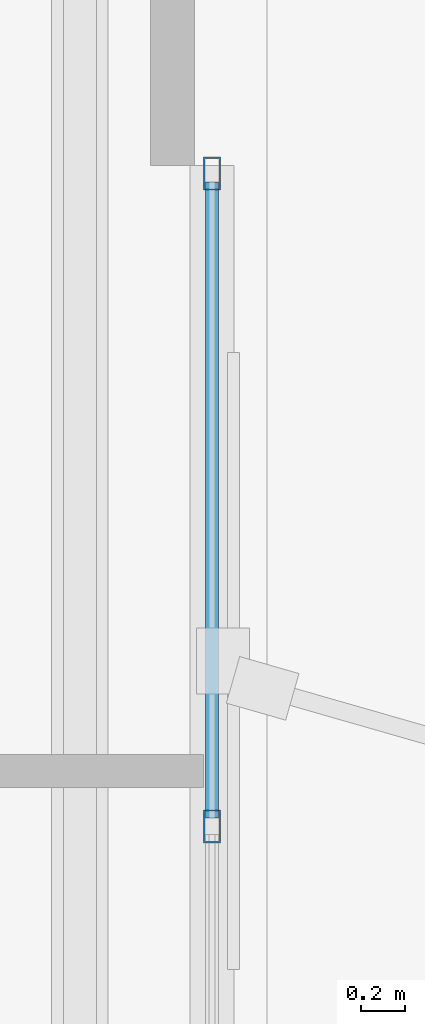
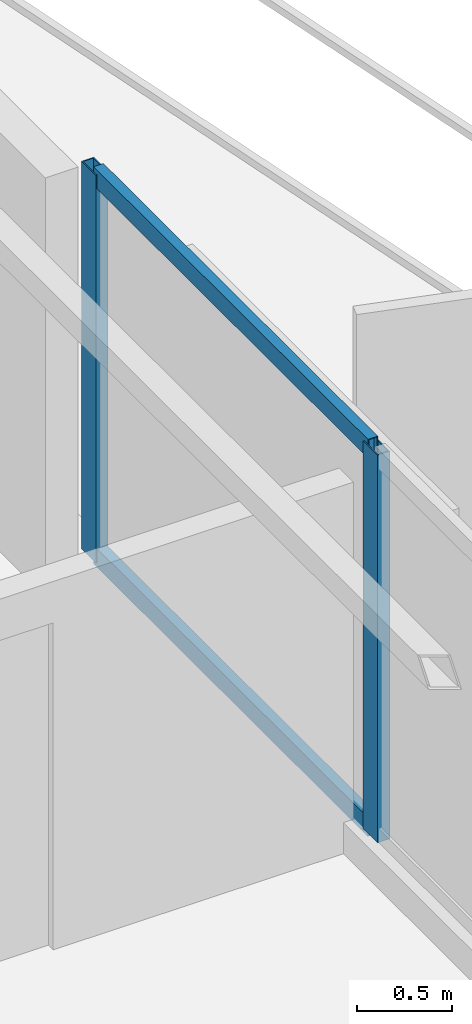
# One storey, part 13 of 21: 4 members, 1 element without a shape of its own.
"""IFC4 building model written with IfcOpenShell, lengths in metres."""

from ifc_helpers import new_model, si_unit, direction, frame, origin, origin_2d, place, context, subcontext, project, spatial, hollow_rectangle, extrude, material, layer, layer_set, material_profile, profile_set, type_object, element, aggregate, save


model = new_model("IFC4")

# Units and contexts
model_context = context("Model", 3, precision=1e-05, world=origin(), true_north=direction((0.0, 1.0)))
body_context = subcontext(model_context, "Body", "Model", "MODEL_VIEW")
ifc_project = project(units=[si_unit("LENGTHUNIT", "METRE"), si_unit("AREAUNIT", "SQUARE_METRE"), si_unit("VOLUMEUNIT", "CUBIC_METRE"), si_unit("PLANEANGLEUNIT", "RADIAN"), si_unit("MASSUNIT", "GRAM", prefix="KILO")], contexts=[model_context])

# Site, building, storey
site_placement = place(None, origin())
site = spatial("IfcSite", under=ifc_project, at=site_placement, CompositionType="ELEMENT")
building_placement = place(site_placement, origin())
building = spatial("IfcBuilding", under=site, at=building_placement, Name="Mersakhor Tower and Convention Hall", CompositionType="ELEMENT")
storey_placement = place(building_placement, frame((0.0, 0.0, 211.800048828125)))
storey = spatial("IfcBuildingStorey", under=building, at=storey_placement, Name="L59", CompositionType="ELEMENT", Elevation=211.800048828125)

# Curtain wall, members
ifc_material_1 = material(Name="Dark solar low-E aluminium curtain wall", Category="aluminium")
ifc_layer = layer(ifc_material_1, 0.169921875)
ifc_layer_set = layer_set([ifc_layer], Name="Dark solar low-E aluminium curtain wall")
curtain_wall_type = type_object("IfcCurtainWallType", Name="CW-SYS-02", PredefinedType="USERDEFINED", material=ifc_layer_set)
curtain_wall_placement = place(storey_placement, origin())
curtain_wall = element("IfcCurtainWall", 1, at=curtain_wall_placement, inside=storey, type_object=curtain_wall_type, Name="L59 Dark-Glass Curtain Wall F2-B2", ObjectType="CURTAIN WALL", PredefinedType="USERDEFINED")
ifc_material_2 = material(Name="Anodised aluminium EN AW-6063 T6", Category="aluminium")
ifc_material_profile_1 = material_profile(ifc_material_2, hollow_rectangle(XDim=0.074951171875, YDim=0.14990234375, WallThickness=0.00634765625, at=origin_2d()), Name="RHS 150x75x6.3")
ifc_profile_set_1 = profile_set([ifc_material_profile_1], Name="Anodised aluminium EN AW-6063 T6")
member_type_1 = type_object("IfcMemberType", Name="CWM-150x75", PredefinedType="MULLION", material=ifc_profile_set_1)
member_1_placement = place(storey_placement, frame((40.58837890625, 31.2119140625, 0.199951171875), z_axis=(0.0, 0.0, 1.0), x_axis=(1.0, 0.0, 0.0)))
member_1 = element("IfcMember", 2, at=member_1_placement, type_object=member_type_1, Name="CW-02 mullion 1", PredefinedType="MULLION", context=body_context, shape_type="SweptSolid", body=[
    extrude(hollow_rectangle(XDim=0.074951171875, YDim=0.14990234375, WallThickness=0.00634765625, at=origin_2d()), origin(), (0.0, 0.0, 1.0), 2.489990234375),
])
member_2_placement = place(storey_placement, frame((40.58837890625, 28.249755859375, 0.199951171875), z_axis=(0.0, 0.0, 1.0), x_axis=(1.0, 0.0, 0.0)))
member_2 = element("IfcMember", 3, at=member_2_placement, type_object=member_type_1, Name="CW-02 mullion 2", PredefinedType="MULLION", context=body_context, shape_type="SweptSolid", body=[
    extrude(hollow_rectangle(XDim=0.074951171875, YDim=0.14990234375, WallThickness=0.00634765625, at=origin_2d()), origin(), (0.0, 0.0, 1.0), 2.489990234375),
])
ifc_material_3 = material(Name="Anodised aluminium EN AW-6063 T6", Category="aluminium")
ifc_material_profile_2 = material_profile(ifc_material_3, hollow_rectangle(XDim=0.06005859375, YDim=0.1201171875, WallThickness=0.0048828125, at=origin_2d()), Name="RHS 120x60x5")
ifc_profile_set_2 = profile_set([ifc_material_profile_2], Name="Anodised aluminium EN AW-6063 T6")
member_type_2 = type_object("IfcMemberType", Name="CWT-120x60", PredefinedType="USERDEFINED", material=ifc_profile_set_2)
member_3_placement = place(storey_placement, frame((40.58837890625, 31.174560546875, 0.22998046875), z_axis=(0.0, -1.0, 0.0), x_axis=(1.0, 0.0, 0.0)))
member_3 = element("IfcMember", 4, at=member_3_placement, type_object=member_type_2, Name="CW-02 transom 1.1", ObjectType="TRANSOM", PredefinedType="USERDEFINED", context=body_context, shape_type="SweptSolid", body=[
    extrude(hollow_rectangle(XDim=0.06005859375, YDim=0.1201171875, WallThickness=0.0048828125, at=origin_2d()), origin(), (0.0, 0.0, 1.0), 2.88720703125),
])
member_4_placement = place(storey_placement, frame((40.58837890625, 31.174560546875, 2.659912109375), z_axis=(0.0, -1.0, 0.0), x_axis=(1.0, 0.0, 0.0)))
member_4 = element("IfcMember", 5, at=member_4_placement, type_object=member_type_2, Name="CW-02 transom 1.2", ObjectType="TRANSOM", PredefinedType="USERDEFINED", context=body_context, shape_type="SweptSolid", body=[
    extrude(hollow_rectangle(XDim=0.06005859375, YDim=0.1201171875, WallThickness=0.0048828125, at=origin_2d()), origin(), (0.0, 0.0, 1.0), 2.88720703125),
])
aggregate(curtain_wall, [member_1, member_2, member_3, member_4])

save(model, "model.ifc")
